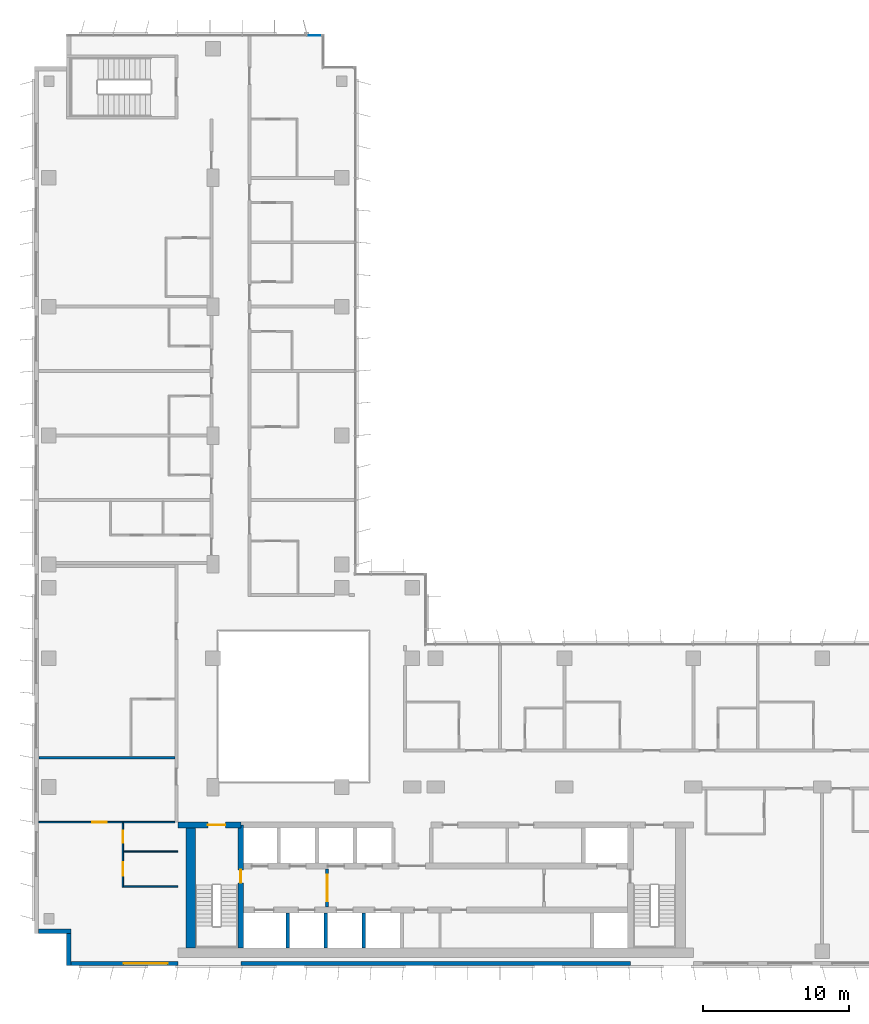
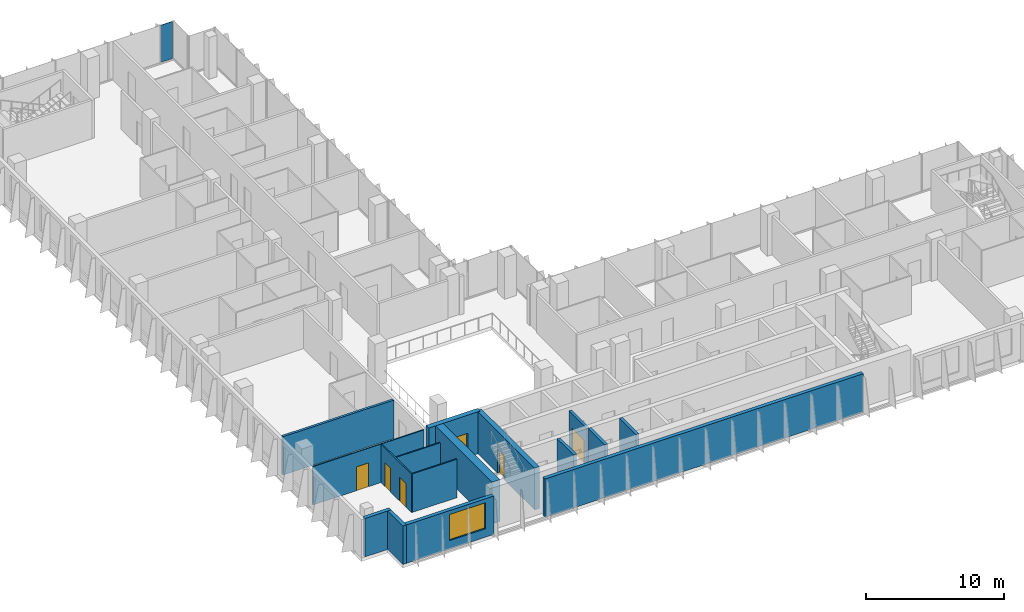
# One storey, part 12 of 21: 16 walls, 6 doors, 1 plate, 1 window, 7 openings, 1 element without a shape of its own.
"""IFC4 building model written with IfcOpenShell, lengths in metres."""

from ifc_helpers import new_model, si_unit, direction, frame, frame_2d, origin, origin_2d, place, context, subcontext, project, spatial, rectangle, extrude, source, transform, mapped, material, layer, layer_set, type_object, element, fill, aggregate, save


model = new_model("IFC4")

# Units and contexts
model_context = context("Model", 3, precision=1e-05, world=origin(), true_north=direction((0.0, 1.0)))
body_context = subcontext(model_context, "Body", "Model", "MODEL_VIEW")
ifc_project = project(units=[si_unit("LENGTHUNIT", "METRE"), si_unit("AREAUNIT", "SQUARE_METRE"), si_unit("VOLUMEUNIT", "CUBIC_METRE"), si_unit("PLANEANGLEUNIT", "RADIAN"), si_unit("MASSUNIT", "GRAM", prefix="KILO")], contexts=[model_context])

# Site, building, storey
site_placement = place(None, origin())
site = spatial("IfcSite", under=ifc_project, at=site_placement, CompositionType="ELEMENT")
building_placement = place(site_placement, origin())
building = spatial("IfcBuilding", under=site, at=building_placement, Name="Kemantara Hotel Tower", CompositionType="ELEMENT")
storey_placement = place(building_placement, frame((0.0, 0.0, 160.5)))
storey = spatial("IfcBuildingStorey", under=building, at=storey_placement, Name="L39", CompositionType="ELEMENT", Elevation=160.5)

# Curtain wall, plate
ifc_material_1 = material(Name="Low-E tinted double insulated glass 36 mm", Category="glass")
curtain_wall_type = type_object("IfcCurtainWallType", Name="TOWER CURTAIN WALL, FRONT FACES", PredefinedType="USERDEFINED", material=ifc_material_1)
curtain_wall_placement = place(storey_placement, origin())
curtain_wall = element("IfcCurtainWall", 1, at=curtain_wall_placement, inside=storey, type_object=curtain_wall_type, Name="CW4 L39 T3-R02-1", ObjectType="TOWER CURTAIN WALL, FRONT FACES", PredefinedType="USERDEFINED")
ifc_layer_1 = layer(ifc_material_1, 0.035888671875)
ifc_layer_set_1 = layer_set([ifc_layer_1], Name="Low-E tinted double insulated glass 36 mm")
plate_type = type_object("IfcPlateType", Name="TOWER CURTAIN WALL, FRONT FACES PANEL", PredefinedType="CURTAIN_PANEL", material=ifc_layer_set_1)
shared_shape = source(origin(), body_context, "Body", "SweptSolid", [
    extrude(rectangle(XDim=0.9599609375, YDim=0.035888671875, at=origin_2d()), origin(), (0.0, 0.0, 1.0), 3.280029296875),
])
plate_placement = place(storey_placement, frame((19.110107421875, 63.52490234375, 0.1201171875), z_axis=(0.0, 0.0, 1.0), x_axis=(-1.0, 0.0, 0.0)))
plate = element("IfcPlate", 2, at=plate_placement, type_object=plate_type, Name="CW4 glass panel T3-R02-1.1", PredefinedType="CURTAIN_PANEL", context=body_context, shape_type="MappedRepresentation", body=[
    mapped(shared_shape, transform((0.0, 0.0, 0.0))),
])
aggregate(curtain_wall, [plate])

# Walls
ifc_material_2 = material(Name="Bronze anodised aluminium cladding on insulated steel stud wall", Category="steel")
ifc_layer_2 = layer(ifc_material_2, 0.300048828125)
ifc_layer_set_2 = layer_set([ifc_layer_2], Name="Bronze anodised aluminium cladding on insulated steel stud wall")
wall_type_1 = type_object("IfcWallType", Name="BRONZE METAL-CLAD EXTERNAL WALL 300", PredefinedType="STANDARD", material=ifc_layer_set_2)
for number, where, z_axis, x_axis, name in (
    (3, (0.300048828125, 2.35009765625, 0.0), (0.0, 0.0, 1.0), (1.0, 0.0, 0.0), "EXTERNAL WALL L39 T3-R06"),
    (4, (2.35009765625, 2.199951171875, 0.0), (0.0, 0.0, 1.0), (0.0, -1.0, 0.0), "EXTERNAL WALL L39 T3-R07"),
):
    element("IfcWall", number, at=place(storey_placement, frame(where, z_axis=z_axis, x_axis=x_axis)), inside=storey, type_object=wall_type_1, Name=name, PredefinedType="STANDARD", context=body_context, shape_type="SweptSolid", body=[
        extrude(rectangle(XDim=2.199951171875, YDim=0.300048828125, at=frame_2d((1.10009765625, 0.0))), origin(), (0.0, 0.0, 1.0), 3.39990234375),
    ])

# Wall, opening, window
wall_1_placement = place(storey_placement, frame((2.5, 0.14990234375, 0.0), z_axis=(0.0, 0.0, 1.0), x_axis=(1.0, 0.0, 0.0)))
wall_1 = element("IfcWall", 5, at=wall_1_placement, inside=storey, type_object=wall_type_1, Name="EXTERNAL WALL L39 T3-R08", PredefinedType="STANDARD", context=body_context, shape_type="SweptSolid", body=[
    extrude(rectangle(XDim=7.300048828125, YDim=0.300048828125, at=frame_2d((3.64990234375, 0.0))), origin(), (0.0, 0.0, 1.0), 3.39990234375),
])
opening_1_placement = place(wall_1_placement, frame((3.60009765625, 0.0, 0.75)))
opening_1 = element("IfcOpeningElement", 6, at=opening_1_placement, cuts=wall_1, Name="Opening W1", PredefinedType="OPENING", context=body_context, shape_type="SweptSolid", body=[
    extrude(rectangle(XDim=3.0, YDim=2.300048828125, at=frame_2d((1.5, 1.14990234375))), frame((0.0, 0.159912109375, 0.0), z_axis=(0.0, -1.0, 0.0), x_axis=(1.0, 0.0, 0.0)), (0.0, 0.0, 1.0), 0.320068359375),
])
ifc_material_3 = material(Name="Low-E tinted double insulated glass in bronze anodised aluminium frame", Category="aluminium")
window_type = type_object("IfcWindowType", Name="CHICAGO WINDOW, TRIPLE PANEL 3000x2300", PartitioningType="TRIPLE_PANEL_VERTICAL", PredefinedType="WINDOW", material=ifc_material_3)
window_placement = place(opening_1_placement, origin())
window = element("IfcWindow", 7, at=window_placement, inside=storey, type_object=window_type, Name="CHICAGO WINDOW L39 T3-R08-54", OverallHeight=2.300048828125, OverallWidth=3.0, PartitioningType="SINGLE_PANEL", PredefinedType="WINDOW", context=body_context, shape_type="SweptSolid", body=[
    extrude(rectangle(XDim=3.0, YDim=2.300048828125, at=frame_2d((1.5, 1.14990234375))), frame((0.0, 0.030029296875, 0.0), z_axis=(0.0, -1.0, 0.0), x_axis=(1.0, 0.0, 0.0)), (0.0, 0.0, 1.0), 0.06005859375),
])
fill(opening_1, window)

# Walls
wall_2_placement = place(storey_placement, frame((14.10009765625, 0.14990234375, 0.0), z_axis=(0.0, 0.0, 1.0), x_axis=(1.0, 0.0, 0.0)))
element("IfcWall", 8, at=wall_2_placement, inside=storey, type_object=wall_type_1, Name="EXTERNAL WALL L39 T3-R08-2", PredefinedType="STANDARD", context=body_context, shape_type="SweptSolid", body=[
    extrude(rectangle(XDim=26.599853515625, YDim=0.300048828125, at=frame_2d((13.2998046875, 0.0))), origin(), (0.0, 0.0, 1.0), 3.39990234375),
])
ifc_material_4 = material(Name="Concrete fc 60 MPa", Category="concrete")
ifc_layer_3 = layer(ifc_material_4, 0.25)
ifc_layer_set_3 = layer_set([ifc_layer_3], Name="Concrete fc 60 MPa")
wall_type_2 = type_object("IfcWallType", Name="CORE WALL 250 FC60", PredefinedType="SHEAR", material=ifc_layer_set_3)
for number, where, z_axis, x_axis, name in (
    (9, (17.300048828125, 1.199951171875, 0.0), (0.0, 0.0, 1.0), (0.0, 1.0, 0.0), "CORE WALL CW-DS17.3"),
    (10, (19.89990234375, 1.199951171875, 0.0), (0.0, 0.0, 1.0), (0.0, 1.0, 0.0), "CORE WALL CW-DS19.9"),
    (11, (22.5, 1.199951171875, 0.0), (0.0, 0.0, 1.0), (0.0, 1.0, 0.0), "CORE WALL CW-DS22.5"),
):
    element("IfcWall", number, at=place(storey_placement, frame(where, z_axis=z_axis, x_axis=x_axis)), inside=storey, type_object=wall_type_2, Name=name, PredefinedType="SHEAR", context=body_context, shape_type="SweptSolid", body=[
        extrude(rectangle(XDim=2.400146484375, YDim=0.25, at=frame_2d((1.2001953125, 0.0))), origin(), (0.0, 0.0, 1.0), 3.699951171875),
    ])

# Wall, opening, door
ifc_layer_4 = layer(ifc_material_4, 0.39990234375)
ifc_layer_set_4 = layer_set([ifc_layer_4], Name="Concrete fc 60 MPa")
wall_type_3 = type_object("IfcWallType", Name="CORE WALL 400 FC60", PredefinedType="SHEAR", material=ifc_layer_set_4)
wall_3_placement = place(storey_placement, frame((9.800048828125, 9.60009765625, 0.0), z_axis=(0.0, 0.0, 1.0), x_axis=(1.0, 0.0, 0.0)))
wall_3 = element("IfcWall", 12, at=wall_3_placement, inside=storey, type_object=wall_type_3, Name="CORE WALL CW-N1", PredefinedType="SHEAR", context=body_context, shape_type="SweptSolid", body=[
    extrude(rectangle(XDim=4.300048828125, YDim=0.39990234375, at=frame_2d((2.14990234375, 0.0))), origin(), (0.0, 0.0, 1.0), 3.699951171875),
])
opening_2_placement = place(wall_3_placement, frame((2.050048828125, 0.0, 0.0)))
opening_2 = element("IfcOpeningElement", 13, at=opening_2_placement, cuts=wall_3, Name="Opening C25-ST1-C", PredefinedType="OPENING", context=body_context, shape_type="SweptSolid", body=[
    extrude(rectangle(XDim=1.199951171875, YDim=2.10009765625, at=frame_2d((0.60009765625, 1.050048828125))), frame((0.0, 0.2099609375, 0.0), z_axis=(0.0, -1.0, 0.0), x_axis=(1.0, 0.0, 0.0)), (0.0, 0.0, 1.0), 0.419921875),
])
ifc_material_5 = material(Name="Steel fire door", Category="steel")
door_type_1 = type_object("IfcDoorType", Name="Fire door FD90 1200 x 2100", OperationType="NOTDEFINED", PredefinedType="DOOR", material=ifc_material_5)
door_1_placement = place(opening_2_placement, frame((1.199951171875, 0.0, 0.0), z_axis=(0.0, 0.0, 1.0), x_axis=(-1.0, 0.0, 0.0)))
door_1 = element("IfcDoor", 14, at=door_1_placement, inside=storey, type_object=door_type_1, Name="Stair ST1 door to corridor", OperationType="SINGLE_SWING_LEFT", OverallHeight=2.10009765625, OverallWidth=1.199951171875, PredefinedType="DOOR", context=body_context, shape_type="SweptSolid", body=[
    extrude(rectangle(XDim=1.199951171875, YDim=2.10009765625, at=frame_2d((0.60009765625, 1.050048828125))), frame((0.0, 0.02490234375, 0.0), z_axis=(0.0, -1.0, 0.0), x_axis=(1.0, 0.0, 0.0)), (0.0, 0.0, 1.0), 0.050048828125),
])
fill(opening_2, door_1)

wall_4_placement = place(storey_placement, frame((14.10009765625, 1.199951171875, 0.0), z_axis=(0.0, 0.0, 1.0), x_axis=(0.0, 1.0, 0.0)))
wall_4 = element("IfcWall", 15, at=wall_4_placement, inside=storey, type_object=wall_type_3, Name="CORE WALL CW-ST1E", PredefinedType="SHEAR", context=body_context, shape_type="SweptSolid", body=[
    extrude(rectangle(XDim=8.400146484375, YDim=0.39990234375, at=frame_2d((4.2001953125, 0.0))), origin(), (0.0, 0.0, 1.0), 3.699951171875),
])
opening_3_placement = place(wall_4_placement, frame((4.449951171875, 0.0, 0.0)))
opening_3 = element("IfcOpeningElement", 16, at=opening_3_placement, cuts=wall_4, Name="Opening C25-ST1-F", PredefinedType="OPENING", context=body_context, shape_type="SweptSolid", body=[
    extrude(rectangle(XDim=0.89990234375, YDim=2.10009765625, at=frame_2d((0.449951171875, 1.050048828125))), frame((0.0, 0.2099609375, 0.0), z_axis=(0.0, -1.0, 0.0), x_axis=(1.0, 0.0, 0.0)), (0.0, 0.0, 1.0), 0.419921875),
])
door_type_2 = type_object("IfcDoorType", Name="Fire door FD90 900 x 2100", OperationType="NOTDEFINED", PredefinedType="DOOR", material=ifc_material_5)
door_2_placement = place(opening_3_placement, origin())
door_2 = element("IfcDoor", 17, at=door_2_placement, inside=storey, type_object=door_type_2, Name="Stair ST1 door to firefighting lobby", OperationType="SINGLE_SWING_RIGHT", OverallHeight=2.10009765625, OverallWidth=0.89990234375, PredefinedType="DOOR", context=body_context, shape_type="SweptSolid", body=[
    extrude(rectangle(XDim=0.89990234375, YDim=2.10009765625, at=frame_2d((0.449951171875, 1.050048828125))), frame((0.0, 0.02490234375, 0.0), z_axis=(0.0, -1.0, 0.0), x_axis=(1.0, 0.0, 0.0)), (0.0, 0.0, 1.0), 0.050048828125),
])
fill(opening_3, door_2)

# Walls
ifc_layer_5 = layer(ifc_material_4, 0.64990234375)
ifc_layer_set_5 = layer_set([ifc_layer_5], Name="Concrete fc 60 MPa")
wall_type_4 = type_object("IfcWallType", Name="CORE WALL 650 FC60", PredefinedType="SHEAR", material=ifc_layer_set_5)
wall_5_placement = place(storey_placement, frame((10.675048828125, 1.199951171875, 0.0), z_axis=(0.0, 0.0, 1.0), x_axis=(0.0, 1.0, 0.0)))
element("IfcWall", 18, at=wall_5_placement, inside=storey, type_object=wall_type_4, Name="CORE WALL CW-W", PredefinedType="SHEAR", context=body_context, shape_type="SweptSolid", body=[
    extrude(rectangle(XDim=8.60009765625, YDim=0.64990234375, at=frame_2d((4.300048828125, 0.0))), origin(), (0.0, 0.0, 1.0), 3.699951171875),
])
ifc_material_6 = material(Name="Gypsum board partition, steel studs and mineral wool, 200 mm", Category="steel")
ifc_layer_6 = layer(ifc_material_6, 0.199951171875)
ifc_layer_set_6 = layer_set([ifc_layer_6], Name="Gypsum board partition, steel studs and mineral wool, 200 mm")
wall_type_5 = type_object("IfcWallType", Name="GUEST ROOM PARTY WALL 200", PredefinedType="PARTITIONING", material=ifc_layer_set_6)
wall_6_placement = place(storey_placement, frame((0.31005859375, 14.199951171875, 0.0), z_axis=(0.0, 0.0, 1.0), x_axis=(1.0, 0.0, 0.0)))
element("IfcWall", 19, at=wall_6_placement, inside=storey, type_object=wall_type_5, Name="GUEST ROOM PARTY WALL 200 013", PredefinedType="PARTITIONING", context=body_context, shape_type="SweptSolid", body=[
    extrude(rectangle(XDim=9.2900390625, YDim=0.199951171875, at=frame_2d((4.64501953125, 0.0))), origin(), (0.0, 0.0, 1.0), 3.39990234375),
])

# Wall, opening, door
ifc_material_7 = material(Name="Gypsum board shaft wall")
ifc_layer_7 = layer(ifc_material_7, 0.199951171875)
ifc_layer_set_7 = layer_set([ifc_layer_7], Name="Gypsum board shaft wall")
wall_type_6 = type_object("IfcWallType", Name="Gypsum board shaft wall 200 mm", PredefinedType="PARTITIONING", material=ifc_layer_set_7)
wall_7_placement = place(storey_placement, frame((20.0, 4.0, 0.0), z_axis=(0.0, 0.0, 1.0), x_axis=(0.0, 1.0, 0.0)))
wall_7 = element("IfcWall", 20, at=wall_7_placement, inside=storey, type_object=wall_type_6, Name="Firefighting lobby partition west", PredefinedType="PARTITIONING", context=body_context, shape_type="SweptSolid", body=[
    extrude(rectangle(XDim=2.60009765625, YDim=0.199951171875, at=frame_2d((1.300048828125, 0.0))), origin(), (0.0, 0.0, 1.0), 3.39990234375),
])
opening_4_placement = place(wall_7_placement, frame((0.39990234375, 0.0, 0.0)))
opening_4 = element("IfcOpeningElement", 21, at=opening_4_placement, cuts=wall_7, Name="Opening C25-FFW", PredefinedType="OPENING", context=body_context, shape_type="SweptSolid", body=[
    extrude(rectangle(XDim=1.800048828125, YDim=2.10009765625, at=frame_2d((0.89990234375, 1.050048828125))), frame((0.0, 0.10986328125, 0.0), z_axis=(0.0, -1.0, 0.0), x_axis=(1.0, 0.0, 0.0)), (0.0, 0.0, 1.0), 0.219970703125),
])
door_type_3 = type_object("IfcDoorType", Name="Fire door pair FD60 1800 x 2100", OperationType="DOUBLE_DOOR_SINGLE_SWING", PredefinedType="DOOR", material=ifc_material_5)
door_3_placement = place(opening_4_placement, origin())
door_3 = element("IfcDoor", 22, at=door_3_placement, inside=storey, type_object=door_type_3, Name="Firefighting lobby door west", OperationType="DOUBLE_DOOR_SINGLE_SWING", OverallHeight=2.10009765625, OverallWidth=1.800048828125, PredefinedType="DOOR", context=body_context, shape_type="SweptSolid", body=[
    extrude(rectangle(XDim=1.800048828125, YDim=2.10009765625, at=frame_2d((0.89990234375, 1.050048828125))), frame((0.0, 0.02490234375, 0.0), z_axis=(0.0, -1.0, 0.0), x_axis=(1.0, 0.0, 0.0)), (0.0, 0.0, 1.0), 0.050048828125),
])
fill(opening_4, door_3)

# Wall, openings, doors
ifc_material_8 = material(Name="Gypsum board partition on steel studs, 100 mm", Category="steel")
ifc_layer_8 = layer(ifc_material_8, 0.10009765625)
ifc_layer_set_8 = layer_set([ifc_layer_8], Name="Gypsum board partition on steel studs, 100 mm")
wall_type_7 = type_object("IfcWallType", Name="ROOM PARTITION 100", PredefinedType="PARTITIONING", material=ifc_layer_set_8)
wall_8_placement = place(storey_placement, frame((6.050048828125, 9.75, 0.0), z_axis=(0.0, 0.0, 1.0), x_axis=(0.0, -1.0, 0.0)))
wall_8 = element("IfcWall", 23, at=wall_8_placement, inside=storey, type_object=wall_type_7, Name="ROOM PARTITION 100 048", PredefinedType="PARTITIONING", context=body_context, shape_type="SweptSolid", body=[
    extrude(rectangle(XDim=4.39990234375, YDim=0.10009765625, at=frame_2d((2.199951171875, 0.0))), origin(), (0.0, 0.0, 1.0), 3.39990234375),
])
opening_5_placement = place(wall_8_placement, frame((2.699951171875, 0.0, 0.0)))
opening_5 = element("IfcOpeningElement", 24, at=opening_5_placement, cuts=wall_8, Name="Opening F18-017", PredefinedType="OPENING", context=body_context, shape_type="SweptSolid", body=[
    extrude(rectangle(XDim=0.89990234375, YDim=2.10009765625, at=frame_2d((0.449951171875, 1.050048828125))), frame((0.0, 0.06005859375, 0.0), z_axis=(0.0, -1.0, 0.0), x_axis=(1.0, 0.0, 0.0)), (0.0, 0.0, 1.0), 0.1201171875),
])
opening_6_placement = place(wall_8_placement, frame((0.550048828125, 0.0, 0.0)))
opening_6 = element("IfcOpeningElement", 25, at=opening_6_placement, cuts=wall_8, Name="Opening F18-018", PredefinedType="OPENING", context=body_context, shape_type="SweptSolid", body=[
    extrude(rectangle(XDim=0.800048828125, YDim=2.10009765625, at=frame_2d((0.39990234375, 1.050048828125))), frame((0.0, 0.06005859375, 0.0), z_axis=(0.0, -1.0, 0.0), x_axis=(1.0, 0.0, 0.0)), (0.0, 0.0, 1.0), 0.1201171875),
])
ifc_material_9 = material(Name="Hardwood veneer door leaf with steel frame", Category="steel")
door_type_4 = type_object("IfcDoorType", Name="BATHROOM DOOR 900 X 2100", OperationType="NOTDEFINED", PredefinedType="DOOR", material=ifc_material_9)
door_4_placement = place(opening_5_placement, origin())
door_4 = element("IfcDoor", 26, at=door_4_placement, inside=storey, type_object=door_type_4, Name="BATHROOM DOOR F18-017", OperationType="SINGLE_SWING_LEFT", OverallHeight=2.10009765625, OverallWidth=0.89990234375, PredefinedType="DOOR", context=body_context, shape_type="SweptSolid", body=[
    extrude(rectangle(XDim=0.89990234375, YDim=2.10009765625, at=frame_2d((0.449951171875, 1.050048828125))), frame((0.0, 0.02490234375, 0.0), z_axis=(0.0, -1.0, 0.0), x_axis=(1.0, 0.0, 0.0)), (0.0, 0.0, 1.0), 0.050048828125),
])
fill(opening_5, door_4)
door_type_5 = type_object("IfcDoorType", Name="WARDROBE DOOR 800 X 2100", OperationType="NOTDEFINED", PredefinedType="DOOR", material=ifc_material_9)
door_5_placement = place(opening_6_placement, origin())
door_5 = element("IfcDoor", 27, at=door_5_placement, inside=storey, type_object=door_type_5, Name="WARDROBE DOOR F18-018", OperationType="SINGLE_SWING_LEFT", OverallHeight=2.10009765625, OverallWidth=0.800048828125, PredefinedType="DOOR", context=body_context, shape_type="SweptSolid", body=[
    extrude(rectangle(XDim=0.800048828125, YDim=2.10009765625, at=frame_2d((0.39990234375, 1.050048828125))), frame((0.0, 0.02490234375, 0.0), z_axis=(0.0, -1.0, 0.0), x_axis=(1.0, 0.0, 0.0)), (0.0, 0.0, 1.0), 0.050048828125),
])
fill(opening_6, door_5)

# Wall, opening, door
wall_9_placement = place(storey_placement, frame((9.60009765625, 9.800048828125, 0.0), z_axis=(0.0, 0.0, 1.0), x_axis=(-1.0, 0.0, 0.0)))
wall_9 = element("IfcWall", 28, at=wall_9_placement, inside=storey, type_object=wall_type_7, Name="ROOM PARTITION 100 049", PredefinedType="PARTITIONING", context=body_context, shape_type="SweptSolid", body=[
    extrude(rectangle(XDim=9.2900390625, YDim=0.10009765625, at=frame_2d((4.64501953125, 0.0))), origin(), (0.0, 0.0, 1.0), 3.39990234375),
])
opening_7_placement = place(wall_9_placement, frame((4.64990234375, 0.0, 0.0)))
opening_7 = element("IfcOpeningElement", 29, at=opening_7_placement, cuts=wall_9, Name="Opening F18-016", PredefinedType="OPENING", context=body_context, shape_type="SweptSolid", body=[
    extrude(rectangle(XDim=1.0, YDim=2.10009765625, at=frame_2d((0.5, 1.050048828125))), frame((0.0, 0.06005859375, 0.0), z_axis=(0.0, -1.0, 0.0), x_axis=(1.0, 0.0, 0.0)), (0.0, 0.0, 1.0), 0.1201171875),
])
door_type_6 = type_object("IfcDoorType", Name="INTERNAL DOOR 1000 X 2100", OperationType="NOTDEFINED", PredefinedType="DOOR", material=ifc_material_9)
door_6_placement = place(opening_7_placement, origin())
door_6 = element("IfcDoor", 30, at=door_6_placement, inside=storey, type_object=door_type_6, Name="INTERNAL DOOR F18-016", OperationType="SINGLE_SWING_LEFT", OverallHeight=2.10009765625, OverallWidth=1.0, PredefinedType="DOOR", context=body_context, shape_type="SweptSolid", body=[
    extrude(rectangle(XDim=1.0, YDim=2.10009765625, at=frame_2d((0.5, 1.050048828125))), frame((0.0, 0.02490234375, 0.0), z_axis=(0.0, -1.0, 0.0), x_axis=(1.0, 0.0, 0.0)), (0.0, 0.0, 1.0), 0.050048828125),
])
fill(opening_7, door_6)

# Walls
for number, where, z_axis, x_axis, name in (
    (31, (6.10009765625, 5.39990234375, 0.0), (0.0, 0.0, 1.0), (1.0, 0.0, 0.0), "ROOM PARTITION 100 050"),
    (32, (6.10009765625, 7.800048828125, 0.0), (0.0, 0.0, 1.0), (1.0, 0.0, 0.0), "ROOM PARTITION 100 051"),
):
    element("IfcWall", number, at=place(storey_placement, frame(where, z_axis=z_axis, x_axis=x_axis)), inside=storey, type_object=wall_type_7, Name=name, PredefinedType="PARTITIONING", context=body_context, shape_type="SweptSolid", body=[
        extrude(rectangle(XDim=3.69970703125, YDim=0.10009765625, at=frame_2d((1.849853515625, 0.0))), origin(), (0.0, 0.0, 1.0), 3.39990234375),
    ])

save(model, "model.ifc")
